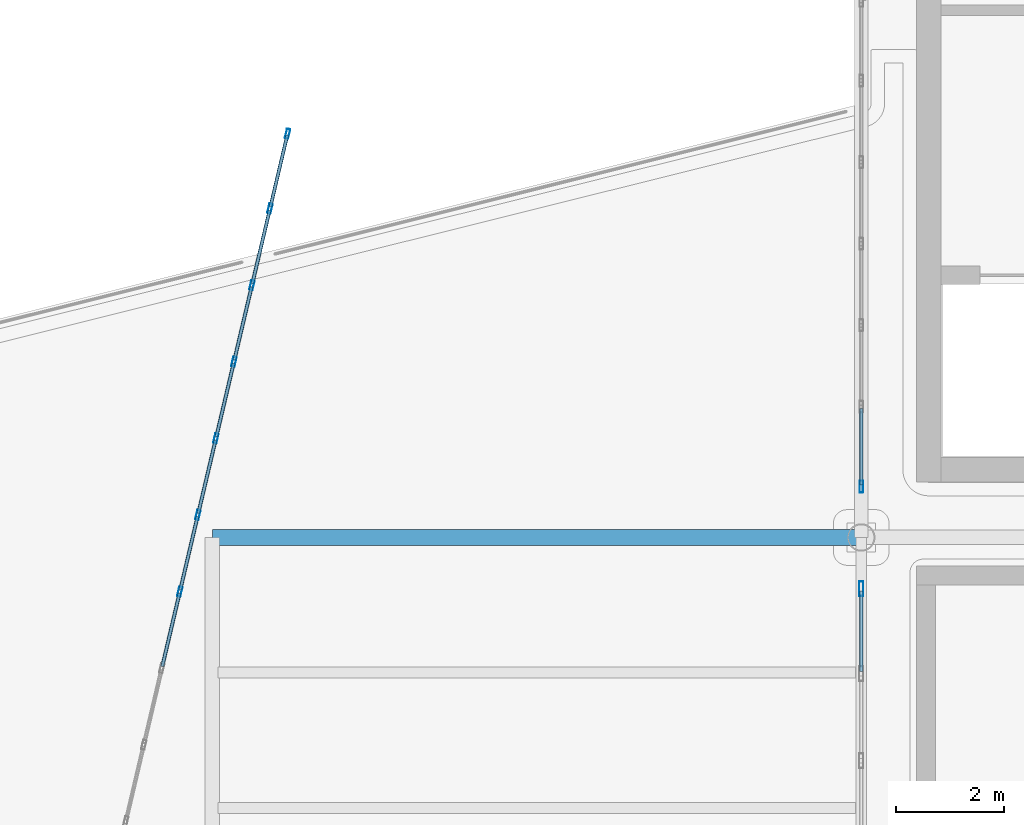
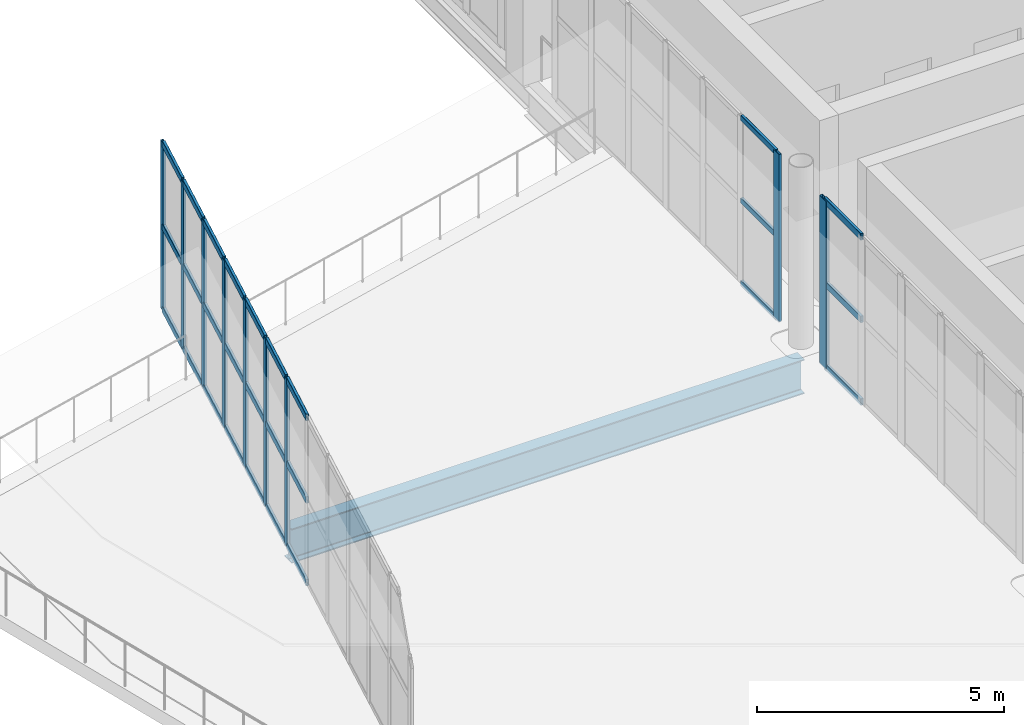
# One storey, part 39 of 108: 36 members, 1 beam, 3 elements without a shape of their own.
"""IFC4 building model written with IfcOpenShell, lengths in metres."""

from ifc_helpers import new_model, si_unit, direction, frame, origin, origin_2d, place, context, subcontext, project, spatial, hollow_rectangle, i_section, extrude, material, layer, layer_set, material_profile, profile_set, type_object, element, aggregate, save


model = new_model("IFC4")

# Units and contexts
model_context = context("Model", 3, precision=1e-05, world=origin(), true_north=direction((0.0, 1.0)))
body_context = subcontext(model_context, "Body", "Model", "MODEL_VIEW")
ifc_project = project(units=[si_unit("LENGTHUNIT", "METRE"), si_unit("AREAUNIT", "SQUARE_METRE"), si_unit("VOLUMEUNIT", "CUBIC_METRE"), si_unit("PLANEANGLEUNIT", "RADIAN"), si_unit("MASSUNIT", "GRAM", prefix="KILO")], contexts=[model_context])

# Site, building, storey
site_placement = place(None, origin())
site = spatial("IfcSite", under=ifc_project, at=site_placement, CompositionType="ELEMENT")
building_placement = place(site_placement, origin())
building = spatial("IfcBuilding", under=site, at=building_placement, Name="Brinegate Civic Arena", CompositionType="ELEMENT")
storey_placement = place(building_placement, frame((0.0, 0.0, 10.199951171875)))
storey = spatial("IfcBuildingStorey", under=building, at=storey_placement, Name="L02", CompositionType="ELEMENT", Elevation=10.199951171875)

# Curtain wall, members
ifc_material_1 = material(Name="Marine grade aluminium", Category="aluminium")
ifc_layer_1 = layer(ifc_material_1, 0.215087890625, Name="Marine grade aluminium")
ifc_layer_set_1 = layer_set([ifc_layer_1], Name="Marine grade aluminium")
curtain_wall_type_1 = type_object("IfcCurtainWallType", Name="CW-FOYER-GLAZED-02", PredefinedType="USERDEFINED", material=ifc_layer_set_1)
curtain_wall_1_placement = place(storey_placement, origin())
curtain_wall_1 = element("IfcCurtainWall", 1, at=curtain_wall_1_placement, inside=storey, type_object=curtain_wall_type_1, Name="Curtain Wall CWA-004", ObjectType="GLAZED CURTAIN WALL", PredefinedType="USERDEFINED")
ifc_material_profile_1 = material_profile(ifc_material_1, hollow_rectangle(XDim=0.06494140625, YDim=0.179931640625, WallThickness=0.0048828125, InnerFilletRadius=0.00390625, OuterFilletRadius=0.008056640625, at=origin_2d()), Name="MUL65X180")
ifc_profile_set_1 = profile_set([ifc_material_profile_1], Name="Marine grade aluminium")
member_type_1 = type_object("IfcMemberType", Name="CW-MULLION-65X180", PredefinedType="MULLION", material=ifc_profile_set_1)
member_1_placement = place(storey_placement, frame((35.39990234375, 81.0, 0.0), z_axis=(0.0, 0.0, 1.0), x_axis=(-0.973417168334, 0.229039333722, 0.0)))
member_1 = element("IfcMember", 2, at=member_1_placement, type_object=member_type_1, Name="CWA-004 mullion 7", PredefinedType="MULLION", context=body_context, shape_type="SweptSolid", body=[
    extrude(hollow_rectangle(XDim=0.06494140625, YDim=0.179931640625, WallThickness=0.0048828125, InnerFilletRadius=0.00390625, OuterFilletRadius=0.008056640625, at=origin_2d()), origin(), (0.0, 0.0, 1.0), 4.150146484375),
])
member_2_placement = place(storey_placement, frame((35.7333984375, 82.416748046875, 0.0), z_axis=(0.0, 0.0, 1.0), x_axis=(-0.973417168334, 0.229039333722, 0.0)))
member_2 = element("IfcMember", 3, at=member_2_placement, type_object=member_type_1, Name="CWA-004 mullion 8", PredefinedType="MULLION", context=body_context, shape_type="SweptSolid", body=[
    extrude(hollow_rectangle(XDim=0.06494140625, YDim=0.179931640625, WallThickness=0.0048828125, InnerFilletRadius=0.00390625, OuterFilletRadius=0.008056640625, at=origin_2d()), origin(), (0.0, 0.0, 1.0), 4.150146484375),
])
member_3_placement = place(storey_placement, frame((36.066650390625, 83.833251953125, 0.0), z_axis=(0.0, 0.0, 1.0), x_axis=(-0.973417168334, 0.229039333722, 0.0)))
member_3 = element("IfcMember", 4, at=member_3_placement, type_object=member_type_1, Name="CWA-004 mullion 9", PredefinedType="MULLION", context=body_context, shape_type="SweptSolid", body=[
    extrude(hollow_rectangle(XDim=0.06494140625, YDim=0.179931640625, WallThickness=0.0048828125, InnerFilletRadius=0.00390625, OuterFilletRadius=0.008056640625, at=origin_2d()), origin(), (0.0, 0.0, 1.0), 4.150146484375),
])
member_4_placement = place(storey_placement, frame((36.39990234375, 85.25, 0.0), z_axis=(0.0, 0.0, 1.0), x_axis=(-0.973417168334, 0.229039333722, 0.0)))
member_4 = element("IfcMember", 5, at=member_4_placement, type_object=member_type_1, Name="CWA-004 mullion 10", PredefinedType="MULLION", context=body_context, shape_type="SweptSolid", body=[
    extrude(hollow_rectangle(XDim=0.06494140625, YDim=0.179931640625, WallThickness=0.0048828125, InnerFilletRadius=0.00390625, OuterFilletRadius=0.008056640625, at=origin_2d()), origin(), (0.0, 0.0, 1.0), 4.150146484375),
])
member_5_placement = place(storey_placement, frame((36.7333984375, 86.666748046875, 0.0), z_axis=(0.0, 0.0, 1.0), x_axis=(-0.973417168334, 0.229039333722, 0.0)))
member_5 = element("IfcMember", 6, at=member_5_placement, type_object=member_type_1, Name="CWA-004 mullion 11", PredefinedType="MULLION", context=body_context, shape_type="SweptSolid", body=[
    extrude(hollow_rectangle(XDim=0.06494140625, YDim=0.179931640625, WallThickness=0.0048828125, InnerFilletRadius=0.00390625, OuterFilletRadius=0.008056640625, at=origin_2d()), origin(), (0.0, 0.0, 1.0), 4.150146484375),
])
member_6_placement = place(storey_placement, frame((37.066650390625, 88.083251953125, 0.0), z_axis=(0.0, 0.0, 1.0), x_axis=(-0.973417168334, 0.229039333722, 0.0)))
member_6 = element("IfcMember", 7, at=member_6_placement, type_object=member_type_1, Name="CWA-004 mullion 12", PredefinedType="MULLION", context=body_context, shape_type="SweptSolid", body=[
    extrude(hollow_rectangle(XDim=0.06494140625, YDim=0.179931640625, WallThickness=0.0048828125, InnerFilletRadius=0.00390625, OuterFilletRadius=0.008056640625, at=origin_2d()), origin(), (0.0, 0.0, 1.0), 4.150146484375),
])
member_7_placement = place(storey_placement, frame((37.392578125, 89.46826171875, 0.0), z_axis=(0.0, 0.0, 1.0), x_axis=(-0.973417168334, 0.229039333722, 0.0)))
member_7 = element("IfcMember", 8, at=member_7_placement, type_object=member_type_1, Name="CWA-004 mullion 13", PredefinedType="MULLION", context=body_context, shape_type="SweptSolid", body=[
    extrude(hollow_rectangle(XDim=0.06494140625, YDim=0.179931640625, WallThickness=0.0048828125, InnerFilletRadius=0.00390625, OuterFilletRadius=0.008056640625, at=origin_2d()), origin(), (0.0, 0.0, 1.0), 4.150146484375),
])

# Curtain wall, member
ifc_layer_2 = layer(ifc_material_1, 0.199951171875, Name="Marine grade aluminium")
ifc_layer_set_2 = layer_set([ifc_layer_2], Name="Marine grade aluminium")
curtain_wall_type_2 = type_object("IfcCurtainWallType", Name="CW-BOWL-GLAZED-01", PredefinedType="USERDEFINED", material=ifc_layer_set_2)
curtain_wall_2_placement = place(storey_placement, origin())
curtain_wall_2 = element("IfcCurtainWall", 9, at=curtain_wall_2_placement, inside=storey, type_object=curtain_wall_type_2, Name="Curtain Wall CWA-089", ObjectType="GLAZED CURTAIN WALL", PredefinedType="USERDEFINED")
ifc_material_profile_2 = material_profile(ifc_material_1, hollow_rectangle(XDim=0.06494140625, YDim=0.219970703125, WallThickness=0.006103515625, InnerFilletRadius=0.00390625, OuterFilletRadius=0.008056640625, at=origin_2d()), Name="MUL65X220")
ifc_profile_set_2 = profile_set([ifc_material_profile_2], Name="Marine grade aluminium")
member_type_2 = type_object("IfcMemberType", Name="CW-MULLION-65X220", PredefinedType="MULLION", material=ifc_profile_set_2)
member_8_placement = place(storey_placement, frame((48.0, 82.94140625, 0.0), z_axis=(0.0, 0.0, 1.0), x_axis=(-1.0, 0.0, 0.0)))
member_8 = element("IfcMember", 10, at=member_8_placement, type_object=member_type_2, Name="CWA-089 mullion 1", PredefinedType="MULLION", context=body_context, shape_type="SweptSolid", body=[
    extrude(hollow_rectangle(XDim=0.06494140625, YDim=0.219970703125, WallThickness=0.006103515625, InnerFilletRadius=0.00390625, OuterFilletRadius=0.008056640625, at=origin_2d()), origin(), (0.0, 0.0, 1.0), 4.150146484375),
])

curtain_wall_3_placement = place(storey_placement, origin())
curtain_wall_3 = element("IfcCurtainWall", 11, at=curtain_wall_3_placement, inside=storey, type_object=curtain_wall_type_2, Name="Curtain Wall CWA-087", ObjectType="GLAZED CURTAIN WALL", PredefinedType="USERDEFINED")
ifc_material_profile_3 = material_profile(ifc_material_1, hollow_rectangle(XDim=0.080078125, YDim=0.280029296875, WallThickness=0.007080078125, InnerFilletRadius=0.0048828125, OuterFilletRadius=0.010009765625, at=origin_2d()), Name="MUL80X280")
ifc_profile_set_3 = profile_set([ifc_material_profile_3], Name="Marine grade aluminium")
member_type_3 = type_object("IfcMemberType", Name="CW-MULLION-80X280", PredefinedType="MULLION", material=ifc_profile_set_3)
member_9_placement = place(storey_placement, frame((48.0, 81.051025390625, 0.0), z_axis=(0.0, 0.0, 1.0), x_axis=(-1.0, 0.0, 0.0)))
member_9 = element("IfcMember", 12, at=member_9_placement, type_object=member_type_3, Name="CWA-087 mullion 6", PredefinedType="MULLION", context=body_context, shape_type="SweptSolid", body=[
    extrude(hollow_rectangle(XDim=0.080078125, YDim=0.280029296875, WallThickness=0.007080078125, InnerFilletRadius=0.0048828125, OuterFilletRadius=0.010009765625, at=origin_2d()), origin(), (0.0, 0.0, 1.0), 4.150146484375),
])

# Member
ifc_material_profile_4 = material_profile(ifc_material_1, hollow_rectangle(XDim=0.06494140625, YDim=0.139892578125, WallThickness=0.0048828125, InnerFilletRadius=0.00390625, OuterFilletRadius=0.008056640625, at=origin_2d()), Name="TRN65X140")
ifc_profile_set_4 = profile_set([ifc_material_profile_4], Name="Marine grade aluminium")
member_type_4 = type_object("IfcMemberType", Name="CW-TRANSOM-65X140", PredefinedType="USERDEFINED", material=ifc_profile_set_4)
member_10_placement = place(storey_placement, frame((48.0, 82.97412109375, 0.032470703125), z_axis=(0.0, 1.0, 0.0), x_axis=(-1.0, 0.0, 0.0)))
member_10 = element("IfcMember", 13, at=member_10_placement, type_object=member_type_4, Name="CWA-089 transom 1.1", ObjectType="TRANSOM", PredefinedType="USERDEFINED", context=body_context, shape_type="SweptSolid", body=[
    extrude(hollow_rectangle(XDim=0.06494140625, YDim=0.139892578125, WallThickness=0.0048828125, InnerFilletRadius=0.00390625, OuterFilletRadius=0.008056640625, at=origin_2d()), origin(), (0.0, 0.0, 1.0), 1.41015625),
])

member_11_placement = place(storey_placement, frame((48.0, 82.97412109375, 2.074951171875), z_axis=(0.0, 1.0, 0.0), x_axis=(-1.0, 0.0, 0.0)))
member_11 = element("IfcMember", 14, at=member_11_placement, type_object=member_type_4, Name="CWA-089 transom 1.2", ObjectType="TRANSOM", PredefinedType="USERDEFINED", context=body_context, shape_type="SweptSolid", body=[
    extrude(hollow_rectangle(XDim=0.06494140625, YDim=0.139892578125, WallThickness=0.0048828125, InnerFilletRadius=0.00390625, OuterFilletRadius=0.008056640625, at=origin_2d()), origin(), (0.0, 0.0, 1.0), 1.41015625),
])

member_12_placement = place(storey_placement, frame((48.0, 82.97412109375, 4.117431640625), z_axis=(0.0, 1.0, 0.0), x_axis=(-1.0, 0.0, 0.0)))
member_12 = element("IfcMember", 15, at=member_12_placement, type_object=member_type_4, Name="CWA-089 transom 1.3", ObjectType="TRANSOM", PredefinedType="USERDEFINED", context=body_context, shape_type="SweptSolid", body=[
    extrude(hollow_rectangle(XDim=0.06494140625, YDim=0.139892578125, WallThickness=0.0048828125, InnerFilletRadius=0.00390625, OuterFilletRadius=0.008056640625, at=origin_2d()), origin(), (0.0, 0.0, 1.0), 1.41015625),
])

aggregate(curtain_wall_2, [member_8, member_10, member_11, member_12])

ifc_material_profile_5 = material_profile(ifc_material_1, hollow_rectangle(XDim=0.06494140625, YDim=0.1650390625, WallThickness=0.0048828125, InnerFilletRadius=0.00390625, OuterFilletRadius=0.008056640625, at=origin_2d()), Name="TRN65X165")
ifc_profile_set_5 = profile_set([ifc_material_profile_5], Name="Marine grade aluminium")
member_type_5 = type_object("IfcMemberType", Name="CW-TRANSOM-65X165", PredefinedType="USERDEFINED", material=ifc_profile_set_5)
member_13_placement = place(storey_placement, frame((35.07421875, 79.614990234375, 0.032470703125), z_axis=(0.229000180336, 0.973426380065, 0.0), x_axis=(-0.973426380065, 0.229000180336, 0.0)))
member_13 = element("IfcMember", 16, at=member_13_placement, type_object=member_type_5, Name="CWA-004 transom 6.1", ObjectType="TRANSOM", PredefinedType="USERDEFINED", context=body_context, shape_type="SweptSolid", body=[
    extrude(hollow_rectangle(XDim=0.06494140625, YDim=0.1650390625, WallThickness=0.0048828125, InnerFilletRadius=0.00390625, OuterFilletRadius=0.008056640625, at=origin_2d()), origin(), (0.0, 0.0, 1.0), 1.39013671875),
])

member_14_placement = place(storey_placement, frame((35.07421875, 79.614990234375, 2.074951171875), z_axis=(0.229000180336, 0.973426380065, 0.0), x_axis=(-0.973426380065, 0.229000180336, 0.0)))
member_14 = element("IfcMember", 17, at=member_14_placement, type_object=member_type_5, Name="CWA-004 transom 6.2", ObjectType="TRANSOM", PredefinedType="USERDEFINED", context=body_context, shape_type="SweptSolid", body=[
    extrude(hollow_rectangle(XDim=0.06494140625, YDim=0.1650390625, WallThickness=0.0048828125, InnerFilletRadius=0.00390625, OuterFilletRadius=0.008056640625, at=origin_2d()), origin(), (0.0, 0.0, 1.0), 1.39013671875),
])

member_15_placement = place(storey_placement, frame((35.07421875, 79.614990234375, 4.117431640625), z_axis=(0.229000180336, 0.973426380065, 0.0), x_axis=(-0.973426380065, 0.229000180336, 0.0)))
member_15 = element("IfcMember", 18, at=member_15_placement, type_object=member_type_5, Name="CWA-004 transom 6.3", ObjectType="TRANSOM", PredefinedType="USERDEFINED", context=body_context, shape_type="SweptSolid", body=[
    extrude(hollow_rectangle(XDim=0.06494140625, YDim=0.1650390625, WallThickness=0.0048828125, InnerFilletRadius=0.00390625, OuterFilletRadius=0.008056640625, at=origin_2d()), origin(), (0.0, 0.0, 1.0), 1.39013671875),
])

member_16_placement = place(storey_placement, frame((35.407470703125, 81.03173828125, 0.032470703125), z_axis=(0.229000180336, 0.973426380065, 0.0), x_axis=(-0.973426380065, 0.229000180336, 0.0)))
member_16 = element("IfcMember", 19, at=member_16_placement, type_object=member_type_5, Name="CWA-004 transom 7.1", ObjectType="TRANSOM", PredefinedType="USERDEFINED", context=body_context, shape_type="SweptSolid", body=[
    extrude(hollow_rectangle(XDim=0.06494140625, YDim=0.1650390625, WallThickness=0.0048828125, InnerFilletRadius=0.00390625, OuterFilletRadius=0.008056640625, at=origin_2d()), origin(), (0.0, 0.0, 1.0), 1.39013671875),
])

member_17_placement = place(storey_placement, frame((35.407470703125, 81.03173828125, 2.074951171875), z_axis=(0.229000180336, 0.973426380065, 0.0), x_axis=(-0.973426380065, 0.229000180336, 0.0)))
member_17 = element("IfcMember", 20, at=member_17_placement, type_object=member_type_5, Name="CWA-004 transom 7.2", ObjectType="TRANSOM", PredefinedType="USERDEFINED", context=body_context, shape_type="SweptSolid", body=[
    extrude(hollow_rectangle(XDim=0.06494140625, YDim=0.1650390625, WallThickness=0.0048828125, InnerFilletRadius=0.00390625, OuterFilletRadius=0.008056640625, at=origin_2d()), origin(), (0.0, 0.0, 1.0), 1.39013671875),
])

member_18_placement = place(storey_placement, frame((35.407470703125, 81.03173828125, 4.117431640625), z_axis=(0.229000180336, 0.973426380065, 0.0), x_axis=(-0.973426380065, 0.229000180336, 0.0)))
member_18 = element("IfcMember", 21, at=member_18_placement, type_object=member_type_5, Name="CWA-004 transom 7.3", ObjectType="TRANSOM", PredefinedType="USERDEFINED", context=body_context, shape_type="SweptSolid", body=[
    extrude(hollow_rectangle(XDim=0.06494140625, YDim=0.1650390625, WallThickness=0.0048828125, InnerFilletRadius=0.00390625, OuterFilletRadius=0.008056640625, at=origin_2d()), origin(), (0.0, 0.0, 1.0), 1.39013671875),
])

member_19_placement = place(storey_placement, frame((35.74072265625, 82.4482421875, 0.032470703125), z_axis=(0.229127408898, 0.973396440558, 0.0), x_axis=(-0.973396440558, 0.229127408898, 0.0)))
member_19 = element("IfcMember", 22, at=member_19_placement, type_object=member_type_5, Name="CWA-004 transom 8.1", ObjectType="TRANSOM", PredefinedType="USERDEFINED", context=body_context, shape_type="SweptSolid", body=[
    extrude(hollow_rectangle(XDim=0.06494140625, YDim=0.1650390625, WallThickness=0.0048828125, InnerFilletRadius=0.00390625, OuterFilletRadius=0.008056640625, at=origin_2d()), origin(), (0.0, 0.0, 1.0), 1.390625),
])

member_20_placement = place(storey_placement, frame((35.74072265625, 82.4482421875, 2.074951171875), z_axis=(0.229127408898, 0.973396440558, 0.0), x_axis=(-0.973396440558, 0.229127408898, 0.0)))
member_20 = element("IfcMember", 23, at=member_20_placement, type_object=member_type_5, Name="CWA-004 transom 8.2", ObjectType="TRANSOM", PredefinedType="USERDEFINED", context=body_context, shape_type="SweptSolid", body=[
    extrude(hollow_rectangle(XDim=0.06494140625, YDim=0.1650390625, WallThickness=0.0048828125, InnerFilletRadius=0.00390625, OuterFilletRadius=0.008056640625, at=origin_2d()), origin(), (0.0, 0.0, 1.0), 1.390625),
])

member_21_placement = place(storey_placement, frame((35.74072265625, 82.4482421875, 4.117431640625), z_axis=(0.229127408898, 0.973396440558, 0.0), x_axis=(-0.973396440558, 0.229127408898, 0.0)))
member_21 = element("IfcMember", 24, at=member_21_placement, type_object=member_type_5, Name="CWA-004 transom 8.3", ObjectType="TRANSOM", PredefinedType="USERDEFINED", context=body_context, shape_type="SweptSolid", body=[
    extrude(hollow_rectangle(XDim=0.06494140625, YDim=0.1650390625, WallThickness=0.0048828125, InnerFilletRadius=0.00390625, OuterFilletRadius=0.008056640625, at=origin_2d()), origin(), (0.0, 0.0, 1.0), 1.390625),
])

member_22_placement = place(storey_placement, frame((36.07421875, 83.864990234375, 0.032470703125), z_axis=(0.229000180336, 0.973426380065, 0.0), x_axis=(-0.973426380065, 0.229000180336, 0.0)))
member_22 = element("IfcMember", 25, at=member_22_placement, type_object=member_type_5, Name="CWA-004 transom 9.1", ObjectType="TRANSOM", PredefinedType="USERDEFINED", context=body_context, shape_type="SweptSolid", body=[
    extrude(hollow_rectangle(XDim=0.06494140625, YDim=0.1650390625, WallThickness=0.0048828125, InnerFilletRadius=0.00390625, OuterFilletRadius=0.008056640625, at=origin_2d()), origin(), (0.0, 0.0, 1.0), 1.39013671875),
])

member_23_placement = place(storey_placement, frame((36.07421875, 83.864990234375, 2.074951171875), z_axis=(0.229000180336, 0.973426380065, 0.0), x_axis=(-0.973426380065, 0.229000180336, 0.0)))
member_23 = element("IfcMember", 26, at=member_23_placement, type_object=member_type_5, Name="CWA-004 transom 9.2", ObjectType="TRANSOM", PredefinedType="USERDEFINED", context=body_context, shape_type="SweptSolid", body=[
    extrude(hollow_rectangle(XDim=0.06494140625, YDim=0.1650390625, WallThickness=0.0048828125, InnerFilletRadius=0.00390625, OuterFilletRadius=0.008056640625, at=origin_2d()), origin(), (0.0, 0.0, 1.0), 1.39013671875),
])

member_24_placement = place(storey_placement, frame((36.07421875, 83.864990234375, 4.117431640625), z_axis=(0.229000180336, 0.973426380065, 0.0), x_axis=(-0.973426380065, 0.229000180336, 0.0)))
member_24 = element("IfcMember", 27, at=member_24_placement, type_object=member_type_5, Name="CWA-004 transom 9.3", ObjectType="TRANSOM", PredefinedType="USERDEFINED", context=body_context, shape_type="SweptSolid", body=[
    extrude(hollow_rectangle(XDim=0.06494140625, YDim=0.1650390625, WallThickness=0.0048828125, InnerFilletRadius=0.00390625, OuterFilletRadius=0.008056640625, at=origin_2d()), origin(), (0.0, 0.0, 1.0), 1.39013671875),
])

member_25_placement = place(storey_placement, frame((36.407470703125, 85.28173828125, 0.032470703125), z_axis=(0.229000180336, 0.973426380065, 0.0), x_axis=(-0.973426380065, 0.229000180336, 0.0)))
member_25 = element("IfcMember", 28, at=member_25_placement, type_object=member_type_5, Name="CWA-004 transom 10.1", ObjectType="TRANSOM", PredefinedType="USERDEFINED", context=body_context, shape_type="SweptSolid", body=[
    extrude(hollow_rectangle(XDim=0.06494140625, YDim=0.1650390625, WallThickness=0.0048828125, InnerFilletRadius=0.00390625, OuterFilletRadius=0.008056640625, at=origin_2d()), origin(), (0.0, 0.0, 1.0), 1.39013671875),
])

member_26_placement = place(storey_placement, frame((36.407470703125, 85.28173828125, 2.074951171875), z_axis=(0.229000180336, 0.973426380065, 0.0), x_axis=(-0.973426380065, 0.229000180336, 0.0)))
member_26 = element("IfcMember", 29, at=member_26_placement, type_object=member_type_5, Name="CWA-004 transom 10.2", ObjectType="TRANSOM", PredefinedType="USERDEFINED", context=body_context, shape_type="SweptSolid", body=[
    extrude(hollow_rectangle(XDim=0.06494140625, YDim=0.1650390625, WallThickness=0.0048828125, InnerFilletRadius=0.00390625, OuterFilletRadius=0.008056640625, at=origin_2d()), origin(), (0.0, 0.0, 1.0), 1.39013671875),
])

member_27_placement = place(storey_placement, frame((36.407470703125, 85.28173828125, 4.117431640625), z_axis=(0.229000180336, 0.973426380065, 0.0), x_axis=(-0.973426380065, 0.229000180336, 0.0)))
member_27 = element("IfcMember", 30, at=member_27_placement, type_object=member_type_5, Name="CWA-004 transom 10.3", ObjectType="TRANSOM", PredefinedType="USERDEFINED", context=body_context, shape_type="SweptSolid", body=[
    extrude(hollow_rectangle(XDim=0.06494140625, YDim=0.1650390625, WallThickness=0.0048828125, InnerFilletRadius=0.00390625, OuterFilletRadius=0.008056640625, at=origin_2d()), origin(), (0.0, 0.0, 1.0), 1.39013671875),
])

member_28_placement = place(storey_placement, frame((36.74072265625, 86.6982421875, 0.032470703125), z_axis=(0.229127408898, 0.973396440558, 0.0), x_axis=(-0.973396440558, 0.229127408898, 0.0)))
member_28 = element("IfcMember", 31, at=member_28_placement, type_object=member_type_5, Name="CWA-004 transom 11.1", ObjectType="TRANSOM", PredefinedType="USERDEFINED", context=body_context, shape_type="SweptSolid", body=[
    extrude(hollow_rectangle(XDim=0.06494140625, YDim=0.1650390625, WallThickness=0.0048828125, InnerFilletRadius=0.00390625, OuterFilletRadius=0.008056640625, at=origin_2d()), origin(), (0.0, 0.0, 1.0), 1.390625),
])

member_29_placement = place(storey_placement, frame((36.74072265625, 86.6982421875, 2.074951171875), z_axis=(0.229127408898, 0.973396440558, 0.0), x_axis=(-0.973396440558, 0.229127408898, 0.0)))
member_29 = element("IfcMember", 32, at=member_29_placement, type_object=member_type_5, Name="CWA-004 transom 11.2", ObjectType="TRANSOM", PredefinedType="USERDEFINED", context=body_context, shape_type="SweptSolid", body=[
    extrude(hollow_rectangle(XDim=0.06494140625, YDim=0.1650390625, WallThickness=0.0048828125, InnerFilletRadius=0.00390625, OuterFilletRadius=0.008056640625, at=origin_2d()), origin(), (0.0, 0.0, 1.0), 1.390625),
])

member_30_placement = place(storey_placement, frame((36.74072265625, 86.6982421875, 4.117431640625), z_axis=(0.229127408898, 0.973396440558, 0.0), x_axis=(-0.973396440558, 0.229127408898, 0.0)))
member_30 = element("IfcMember", 33, at=member_30_placement, type_object=member_type_5, Name="CWA-004 transom 11.3", ObjectType="TRANSOM", PredefinedType="USERDEFINED", context=body_context, shape_type="SweptSolid", body=[
    extrude(hollow_rectangle(XDim=0.06494140625, YDim=0.1650390625, WallThickness=0.0048828125, InnerFilletRadius=0.00390625, OuterFilletRadius=0.008056640625, at=origin_2d()), origin(), (0.0, 0.0, 1.0), 1.390625),
])

member_31_placement = place(storey_placement, frame((37.07421875, 88.114990234375, 0.032470703125), z_axis=(0.228889004037, 0.973452527775, 0.0), x_axis=(-0.973452527775, 0.228889004037, 0.0)))
member_31 = element("IfcMember", 34, at=member_31_placement, type_object=member_type_5, Name="CWA-004 transom 12.1", ObjectType="TRANSOM", PredefinedType="USERDEFINED", context=body_context, shape_type="SweptSolid", body=[
    extrude(hollow_rectangle(XDim=0.06494140625, YDim=0.1650390625, WallThickness=0.0048828125, InnerFilletRadius=0.00390625, OuterFilletRadius=0.008056640625, at=origin_2d()), origin(), (0.0, 0.0, 1.0), 1.35791015625),
])

member_32_placement = place(storey_placement, frame((37.07421875, 88.114990234375, 2.074951171875), z_axis=(0.228889004037, 0.973452527775, 0.0), x_axis=(-0.973452527775, 0.228889004037, 0.0)))
member_32 = element("IfcMember", 35, at=member_32_placement, type_object=member_type_5, Name="CWA-004 transom 12.2", ObjectType="TRANSOM", PredefinedType="USERDEFINED", context=body_context, shape_type="SweptSolid", body=[
    extrude(hollow_rectangle(XDim=0.06494140625, YDim=0.1650390625, WallThickness=0.0048828125, InnerFilletRadius=0.00390625, OuterFilletRadius=0.008056640625, at=origin_2d()), origin(), (0.0, 0.0, 1.0), 1.35791015625),
])

member_33_placement = place(storey_placement, frame((37.07421875, 88.114990234375, 4.117431640625), z_axis=(0.228889004037, 0.973452527775, 0.0), x_axis=(-0.973452527775, 0.228889004037, 0.0)))
member_33 = element("IfcMember", 36, at=member_33_placement, type_object=member_type_5, Name="CWA-004 transom 12.3", ObjectType="TRANSOM", PredefinedType="USERDEFINED", context=body_context, shape_type="SweptSolid", body=[
    extrude(hollow_rectangle(XDim=0.06494140625, YDim=0.1650390625, WallThickness=0.0048828125, InnerFilletRadius=0.00390625, OuterFilletRadius=0.008056640625, at=origin_2d()), origin(), (0.0, 0.0, 1.0), 1.35791015625),
])

aggregate(curtain_wall_1, [member_1, member_2, member_3, member_4, member_5, member_6, member_7, member_13, member_14, member_15, member_16, member_17, member_18, member_19, member_20, member_21, member_22, member_23, member_24, member_25, member_26, member_27, member_28, member_29, member_30, member_31, member_32, member_33])

member_34_placement = place(storey_placement, frame((48.0, 79.521728515625, 0.032470703125), z_axis=(0.0, 1.0, 0.0), x_axis=(-1.0, 0.0, 0.0)))
member_34 = element("IfcMember", 37, at=member_34_placement, type_object=member_type_5, Name="CWA-087 transom 5.1", ObjectType="TRANSOM", PredefinedType="USERDEFINED", context=body_context, shape_type="SweptSolid", body=[
    extrude(hollow_rectangle(XDim=0.06494140625, YDim=0.1650390625, WallThickness=0.0048828125, InnerFilletRadius=0.00390625, OuterFilletRadius=0.008056640625, at=origin_2d()), origin(), (0.0, 0.0, 1.0), 1.4892578125),
])

member_35_placement = place(storey_placement, frame((48.0, 79.521728515625, 2.074951171875), z_axis=(0.0, 1.0, 0.0), x_axis=(-1.0, 0.0, 0.0)))
member_35 = element("IfcMember", 38, at=member_35_placement, type_object=member_type_5, Name="CWA-087 transom 5.2", ObjectType="TRANSOM", PredefinedType="USERDEFINED", context=body_context, shape_type="SweptSolid", body=[
    extrude(hollow_rectangle(XDim=0.06494140625, YDim=0.1650390625, WallThickness=0.0048828125, InnerFilletRadius=0.00390625, OuterFilletRadius=0.008056640625, at=origin_2d()), origin(), (0.0, 0.0, 1.0), 1.4892578125),
])

member_36_placement = place(storey_placement, frame((48.0, 79.521728515625, 4.117431640625), z_axis=(0.0, 1.0, 0.0), x_axis=(-1.0, 0.0, 0.0)))
member_36 = element("IfcMember", 39, at=member_36_placement, type_object=member_type_5, Name="CWA-087 transom 5.3", ObjectType="TRANSOM", PredefinedType="USERDEFINED", context=body_context, shape_type="SweptSolid", body=[
    extrude(hollow_rectangle(XDim=0.06494140625, YDim=0.1650390625, WallThickness=0.0048828125, InnerFilletRadius=0.00390625, OuterFilletRadius=0.008056640625, at=origin_2d()), origin(), (0.0, 0.0, 1.0), 1.4892578125),
])

aggregate(curtain_wall_3, [member_9, member_34, member_35, member_36])

# Beam
ifc_material_2 = material(Name="Steel S355", Category="steel")
ifc_material_profile_6 = material_profile(ifc_material_2, i_section(OverallWidth=0.2939453125, OverallDepth=0.85107421875, WebThickness=0.01611328125, FlangeThickness=0.027099609375, FilletRadius=0.02197265625, at=origin_2d()), Name="W840X226")
ifc_profile_set_6 = profile_set([ifc_material_profile_6], Name="Steel S355")
beam_type = type_object("IfcBeamType", Name="GIRDER-W840X226", PredefinedType="BEAM", material=ifc_profile_set_6)
beam_placement = place(storey_placement, frame((36.0, 82.0, -0.7548828125), z_axis=(1.0, 0.0, 0.0), x_axis=(0.0, 1.0, 0.0)))
element("IfcBeam", 40, at=beam_placement, inside=storey, type_object=beam_type, Name="Floor Girder BM-L02-GX-03-08", PredefinedType="BEAM", context=body_context, shape_type="SweptSolid", body=[
    extrude(i_section(OverallWidth=0.2939453125, OverallDepth=0.85107421875, WebThickness=0.01611328125, FlangeThickness=0.027099609375, FilletRadius=0.02197265625, at=origin_2d()), origin(), (0.0, 0.0, 1.0), 12.0),
])

save(model, "model.ifc")
